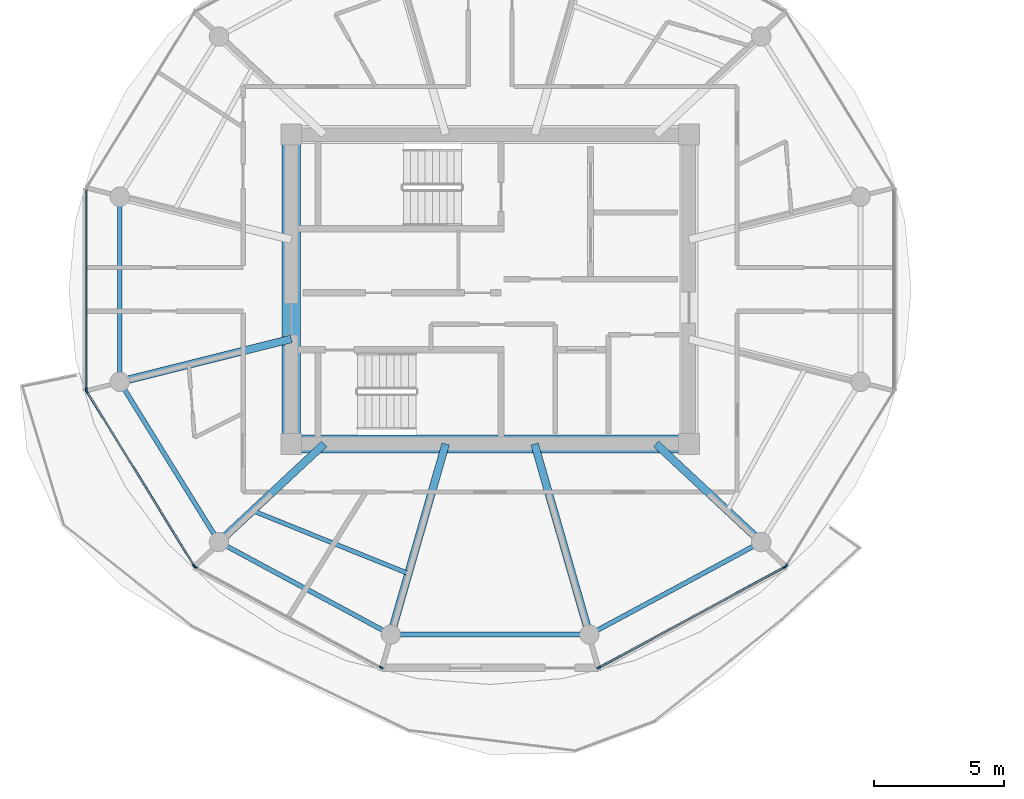
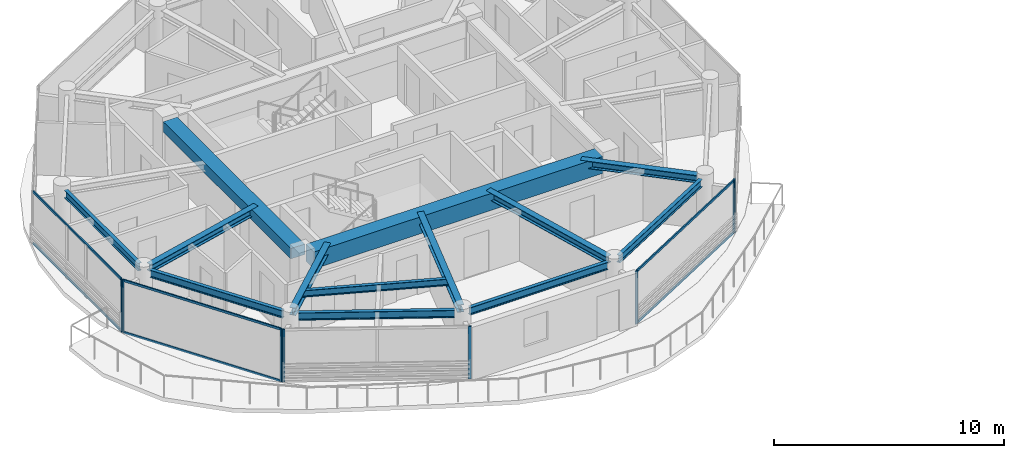
# One storey, part 2 of 19: 14 members, 13 beams, 5 elements without a shape of their own.
"""IFC4 building model written with IfcOpenShell, lengths in metres."""

from ifc_helpers import new_model, si_unit, direction, frame, origin, origin_2d, place, context, subcontext, project, spatial, rectangle, i_section, extrude, source, transform, mapped, material, layer, layer_set, material_profile, profile_set, type_object, type_shapes, element, aggregate, save


model = new_model("IFC4")

# Units and contexts
model_context = context("Model", 3, precision=1e-05, world=origin(), true_north=direction((0.0, 1.0)))
body_context = subcontext(model_context, "Body", "Model", "MODEL_VIEW")
ifc_project = project(units=[si_unit("LENGTHUNIT", "METRE"), si_unit("AREAUNIT", "SQUARE_METRE"), si_unit("VOLUMEUNIT", "CUBIC_METRE"), si_unit("PLANEANGLEUNIT", "RADIAN"), si_unit("MASSUNIT", "GRAM", prefix="KILO")], contexts=[model_context])

# Site, building, storey
site_placement = place(None, origin())
site = spatial("IfcSite", under=ifc_project, at=site_placement, CompositionType="ELEMENT")
building_placement = place(site_placement, origin())
building = spatial("IfcBuilding", under=site, at=building_placement, Name="Norrkilde Senior Care Towers", CompositionType="ELEMENT")
storey_placement = place(building_placement, frame((0.0, 0.0, 235.25)))
storey = spatial("IfcBuildingStorey", under=building, at=storey_placement, Name="L73", CompositionType="ELEMENT", Elevation=235.25)

# Beams
ifc_material_1 = material(Name="Concrete C60/75", Category="concrete")
ifc_material_profile_1 = material_profile(ifc_material_1, rectangle(XDim=0.699951171875, YDim=0.89990234375, at=origin_2d()), Name="RC BM 700x900")
ifc_profile_set_1 = profile_set([ifc_material_profile_1], Name="Concrete C60/75")
beam_type_1 = type_object("IfcBeamType", Name="Core Coupling Girder 700x900", PredefinedType="USERDEFINED", material=ifc_profile_set_1)
shared_shape_1 = source(origin(), body_context, "Body", "SweptSolid", [
    extrude(rectangle(XDim=0.699951171875, YDim=0.89990234375, at=origin_2d()), origin(), (0.0, 0.0, 1.0), 14.5400390625),
])
type_shapes(beam_type_1, [shared_shape_1])
beam_1_placement = place(storey_placement, frame((-35.27001953125, -5.949951171875, 2.360107421875), z_axis=(1.0, 0.0, 0.0), x_axis=(0.0, 1.0, 0.0)))
element("IfcBeam", 1, at=beam_1_placement, inside=storey, type_object=beam_type_1, Name="L73 Core W S Coupling Girder", ObjectType="GIRDER", PredefinedType="USERDEFINED", context=body_context, shape_type="MappedRepresentation", body=[
    mapped(shared_shape_1, transform((0.0, 0.0, 0.0), x_axis=(1.0, 0.0, 0.0), y_axis=(0.0, 1.0, 0.0), z_axis=(0.0, 0.0, 1.0), scale=1.0)),
])
ifc_material_profile_2 = material_profile(ifc_material_1, rectangle(XDim=0.699951171875, YDim=0.550048828125, at=origin_2d()), Name="RC BM 700x550")
ifc_profile_set_2 = profile_set([ifc_material_profile_2], Name="Concrete C60/75")
beam_type_2 = type_object("IfcBeamType", Name="Core Portal Coupling Beam 700x550", PredefinedType="USERDEFINED", material=ifc_profile_set_2)
shared_shape_2 = source(origin(), body_context, "Body", "SweptSolid", [
    extrude(rectangle(XDim=0.699951171875, YDim=0.550048828125, at=origin_2d()), origin(), (0.0, 0.0, 1.0), 11.14013671875),
])
type_shapes(beam_type_2, [shared_shape_2])
beam_2_placement = place(storey_placement, frame((-35.64990234375, -5.570068359375, 2.534912109375), z_axis=(0.0, 1.0, 0.0), x_axis=(-1.0, 0.0, 0.0)))
element("IfcBeam", 2, at=beam_2_placement, inside=storey, type_object=beam_type_2, Name="L73 Core W W Coupling Girder", ObjectType="GIRDER", PredefinedType="USERDEFINED", context=body_context, shape_type="MappedRepresentation", body=[
    mapped(shared_shape_2, transform((0.0, 0.0, 0.0), x_axis=(1.0, 0.0, 0.0), y_axis=(0.0, 1.0, 0.0), z_axis=(0.0, 0.0, 1.0), scale=1.0)),
])
ifc_material_2 = material(Name="Steel S355", Category="steel")
ifc_material_profile_3 = material_profile(ifc_material_2, i_section(OverallWidth=0.179931640625, OverallDepth=0.39990234375, WebThickness=0.008544921875, FlangeThickness=0.013427734375, FilletRadius=0.02099609375, at=origin_2d()), Name="IPE 400")
ifc_profile_set_3 = profile_set([ifc_material_profile_3], Name="Steel S355")
beam_type_3 = type_object("IfcBeamType", Name="Perimeter Ring Spandrel Z4 IPE400", PredefinedType="SPANDREL", material=ifc_profile_set_3)
shared_shape_3 = source(origin(), body_context, "Body", "SweptSolid", [
    extrude(i_section(OverallWidth=0.179931640625, OverallDepth=0.39990234375, WebThickness=0.008544921875, FlangeThickness=0.013427734375, FilletRadius=0.02099609375, at=origin_2d()), origin(), (0.0, 0.0, 1.0), 6.58056640625),
])
beam_3_placement = place(storey_placement, frame((-42.071044921875, -3.843505859375, 2.610107421875), z_axis=(0.526529583789, -0.850156807533, 0.0), x_axis=(0.850156807533, 0.526529583789, 0.0)))
element("IfcBeam", 3, at=beam_3_placement, inside=storey, type_object=beam_type_3, Name="L73 Drum W Perimeter Spandrel 07", PredefinedType="SPANDREL", context=body_context, shape_type="MappedRepresentation", body=[
    mapped(shared_shape_3, transform((0.0, 0.0, 0.0), x_axis=(1.0, 0.0, 0.0), y_axis=(0.0, 1.0, 0.0), z_axis=(0.0, 0.0, 1.0), scale=1.0)),
])
ifc_material_profile_4 = material_profile(ifc_material_2, i_section(OverallWidth=0.300048828125, OverallDepth=0.39990234375, WebThickness=0.013427734375, FlangeThickness=0.02392578125, FilletRadius=0.027099609375, at=origin_2d()), Name="HEB 400")
ifc_profile_set_4 = profile_set([ifc_material_profile_4], Name="Steel S355")
beam_type_4 = type_object("IfcBeamType", Name="Radial Floor Beam Z4 HEB400", PredefinedType="BEAM", material=ifc_profile_set_4)
shared_shape_4 = source(origin(), body_context, "Body", "SweptSolid", [
    extrude(i_section(OverallWidth=0.300048828125, OverallDepth=0.39990234375, WebThickness=0.013427734375, FlangeThickness=0.02392578125, FilletRadius=0.027099609375, at=origin_2d()), origin(), (0.0, 0.0, 1.0), 6.465087890625),
])
beam_4_placement = place(storey_placement, frame((-35.64990234375, -1.910888671875, 2.610107421875), z_axis=(-0.970195788563, -0.242322371758, 0.0), x_axis=(0.242322371758, -0.970195788563, 0.0)))
element("IfcBeam", 4, at=beam_4_placement, inside=storey, type_object=beam_type_4, Name="L73 Drum W Radial Floor Beam 07", PredefinedType="BEAM", context=body_context, shape_type="MappedRepresentation", body=[
    mapped(shared_shape_4, transform((0.0, 0.0, 0.0), x_axis=(1.0, 0.0, 0.0), y_axis=(0.0, 1.0, 0.0), z_axis=(0.0, 0.0, 1.0), scale=1.0)),
])
shared_shape_5 = source(origin(), body_context, "Body", "SweptSolid", [
    extrude(i_section(OverallWidth=0.179931640625, OverallDepth=0.39990234375, WebThickness=0.008544921875, FlangeThickness=0.013427734375, FilletRadius=0.02099609375, at=origin_2d()), origin(), (0.0, 0.0, 1.0), 6.839111328125),
])
for number, where, z_axis, x_axis, name in (
    (5, (-38.134765625, -9.881591796875, 2.610107421875), (0.880563930732, -0.473927382511, 0.0), (0.473927382511, 0.880563930732, 0.0), "L73 Drum W Perimeter Spandrel 08"),
    (6, (-23.887451171875, -13.122802734375, 2.610107421875), (0.880563930732, 0.473927382511, 0.0), (-0.473927382511, 0.880563930732, 0.0), "L73 Drum W Perimeter Spandrel 10"),
):
    element("IfcBeam", number, at=place(storey_placement, frame(where, z_axis=z_axis, x_axis=x_axis)), inside=storey, type_object=beam_type_3, Name=name, PredefinedType="SPANDREL", context=body_context, shape_type="MappedRepresentation", body=[
        mapped(shared_shape_5, transform((0.0, 0.0, 0.0), x_axis=(1.0, 0.0, 0.0), y_axis=(0.0, 1.0, 0.0), z_axis=(0.0, 0.0, 1.0), scale=1.0)),
    ])
shared_shape_6 = source(origin(), body_context, "Body", "SweptSolid", [
    extrude(i_section(OverallWidth=0.300048828125, OverallDepth=0.39990234375, WebThickness=0.013427734375, FlangeThickness=0.02392578125, FilletRadius=0.027099609375, at=origin_2d()), origin(), (0.0, 0.0, 1.0), 5.197998046875),
])
for number, where, z_axis, x_axis, name in (
    (7, (-34.3828125, -5.949951171875, 2.610107421875), (-0.731448749334, -0.681896419625, 0.0), (0.681896419625, -0.731448749334, 0.0), "L73 Drum W Radial Floor Beam 08"),
    (8, (-21.6171875, -5.949951171875, 2.610107421875), (0.731448749334, -0.681896419625, 0.0), (0.681896419625, 0.731448749334, 0.0), "L73 Drum W Radial Floor Beam 11"),
):
    element("IfcBeam", number, at=place(storey_placement, frame(where, z_axis=z_axis, x_axis=x_axis)), inside=storey, type_object=beam_type_4, Name=name, PredefinedType="BEAM", context=body_context, shape_type="MappedRepresentation", body=[
        mapped(shared_shape_6, transform((0.0, 0.0, 0.0), x_axis=(1.0, 0.0, 0.0), y_axis=(0.0, 1.0, 0.0), z_axis=(0.0, 0.0, 1.0), scale=1.0)),
    ])
shared_shape_7 = source(origin(), body_context, "Body", "SweptSolid", [
    extrude(i_section(OverallWidth=0.179931640625, OverallDepth=0.39990234375, WebThickness=0.008544921875, FlangeThickness=0.013427734375, FilletRadius=0.02099609375, at=origin_2d()), origin(), (0.0, 0.0, 1.0), 6.96533203125),
])
beam_5_placement = place(storey_placement, frame((-31.482666015625, -13.281494140625, 2.610107421875), z_axis=(1.0, 0.0, 0.0), x_axis=(0.0, 1.0, 0.0)))
element("IfcBeam", 9, at=beam_5_placement, inside=storey, type_object=beam_type_3, Name="L73 Drum W Perimeter Spandrel 09", PredefinedType="SPANDREL", context=body_context, shape_type="MappedRepresentation", body=[
    mapped(shared_shape_7, transform((0.0, 0.0, 0.0), x_axis=(1.0, 0.0, 0.0), y_axis=(0.0, 1.0, 0.0), z_axis=(0.0, 0.0, 1.0), scale=1.0)),
])
shared_shape_8 = source(origin(), body_context, "Body", "SweptSolid", [
    extrude(i_section(OverallWidth=0.300048828125, OverallDepth=0.39990234375, WebThickness=0.013427734375, FlangeThickness=0.02392578125, FilletRadius=0.027099609375, at=origin_2d()), origin(), (0.0, 0.0, 1.0), 7.29345703125),
])
type_shapes(beam_type_4, [shared_shape_4, shared_shape_6, shared_shape_8])
for number, where, z_axis, x_axis, name in (
    (10, (-29.710205078125, -5.949951171875, 2.610107421875), (-0.276263751906, -0.961081858836, 0.0), (0.961081858836, -0.276263751906, 0.0), "L73 Drum W Radial Floor Beam 09"),
    (11, (-26.289794921875, -5.949951171875, 2.610107421875), (0.276263751906, -0.961081858836, 0.0), (0.961081858836, 0.276263751906, 0.0), "L73 Drum W Radial Floor Beam 10"),
):
    element("IfcBeam", number, at=place(storey_placement, frame(where, z_axis=z_axis, x_axis=x_axis)), inside=storey, type_object=beam_type_4, Name=name, PredefinedType="BEAM", context=body_context, shape_type="MappedRepresentation", body=[
        mapped(shared_shape_8, transform((0.0, 0.0, 0.0), x_axis=(1.0, 0.0, 0.0), y_axis=(0.0, 1.0, 0.0), z_axis=(0.0, 0.0, 1.0), scale=1.0)),
    ])
shared_shape_9 = source(origin(), body_context, "Body", "SweptSolid", [
    extrude(i_section(OverallWidth=0.179931640625, OverallDepth=0.39990234375, WebThickness=0.008544921875, FlangeThickness=0.013427734375, FilletRadius=0.02099609375, at=origin_2d()), origin(), (0.0, 0.0, 1.0), 6.44775390625),
])
type_shapes(beam_type_3, [shared_shape_3, shared_shape_5, shared_shape_7, shared_shape_9])
beam_6_placement = place(storey_placement, frame((-42.247314453125, 3.223876953125, 2.610107421875), z_axis=(0.0, -1.0, 0.0), x_axis=(1.0, 0.0, 0.0)))
element("IfcBeam", 12, at=beam_6_placement, inside=storey, type_object=beam_type_3, Name="L73 Drum W Perimeter Spandrel 06", PredefinedType="SPANDREL", context=body_context, shape_type="MappedRepresentation", body=[
    mapped(shared_shape_9, transform((0.0, 0.0, 0.0), x_axis=(1.0, 0.0, 0.0), y_axis=(0.0, 1.0, 0.0), z_axis=(0.0, 0.0, 1.0), scale=1.0)),
])
ifc_material_profile_5 = material_profile(ifc_material_2, i_section(OverallWidth=0.169921875, OverallDepth=0.360107421875, WebThickness=0.008056640625, FlangeThickness=0.0126953125, FilletRadius=0.01806640625, at=origin_2d()), Name="IPE 360")
ifc_profile_set_5 = profile_set([ifc_material_profile_5], Name="Steel S355")
beam_type_5 = type_object("IfcBeamType", Name="Secondary Floor Joist IPE360", PredefinedType="JOIST", material=ifc_profile_set_5)
shared_shape_10 = source(origin(), body_context, "Body", "SweptSolid", [
    extrude(i_section(OverallWidth=0.169921875, OverallDepth=0.360107421875, WebThickness=0.008056640625, FlangeThickness=0.0126953125, FilletRadius=0.01806640625, at=origin_2d()), origin(), (0.0, 0.0, 1.0), 6.461669921875),
])
type_shapes(beam_type_5, [shared_shape_10])
beam_7_placement = place(storey_placement, frame((-37.134765625, -8.515380859375, 2.6298828125), z_axis=(0.927225942298, -0.374502405772, 0.0), x_axis=(0.374502405772, 0.927225942298, 0.0)))
element("IfcBeam", 13, at=beam_7_placement, inside=storey, type_object=beam_type_5, Name="L73 Drum W Secondary Floor Joist 3", PredefinedType="JOIST", context=body_context, shape_type="MappedRepresentation", body=[
    mapped(shared_shape_10, transform((0.0, 0.0, 0.0), x_axis=(1.0, 0.0, 0.0), y_axis=(0.0, 1.0, 0.0), z_axis=(0.0, 0.0, 1.0), scale=1.0)),
])

# Curtain wall, member
ifc_material_3 = material(Name="Triple Low-E Insulated Glazing", Category="glass")
ifc_layer = layer(ifc_material_3, 0.18505859375)
ifc_layer_set = layer_set([ifc_layer], Name="Triple Low-E Insulated Glazing")
curtain_wall_type = type_object("IfcCurtainWallType", Name="CW6 Zone 4 Crown Pavilion Curtain Wall", PredefinedType="NOTDEFINED", material=ifc_layer_set)
curtain_wall_1_placement = place(storey_placement, origin())
curtain_wall_1 = element("IfcCurtainWall", 14, at=curtain_wall_1_placement, inside=storey, type_object=curtain_wall_type, Name="L73 Drum W Curtain Wall 05", PredefinedType="NOTDEFINED")
ifc_material_4 = material(Name="Anodised Aluminium", Category="aluminium")
ifc_material_profile_6 = material_profile(ifc_material_4, rectangle(XDim=0.06494140625, YDim=0.14990234375, at=origin_2d()), Name="ALU MULL 65x150")
ifc_profile_set_6 = profile_set([ifc_material_profile_6], Name="Anodised Aluminium")
member_type_1 = type_object("IfcMemberType", Name="Curtain Wall Mullion Z3-Z4 65x150", PredefinedType="MULLION", material=ifc_profile_set_6)
shared_shape_11 = source(origin(), body_context, "Body", "SweptSolid", [
    extrude(rectangle(XDim=0.06494140625, YDim=0.14990234375, at=origin_2d()), origin(), (0.0, 0.0, 1.0), 2.81005859375),
])
type_shapes(member_type_1, [shared_shape_11])
member_1_placement = place(storey_placement, frame((-43.531982421875, -3.87060546875, 0.0), z_axis=(0.0, 0.0, 1.0), x_axis=(-1.0, 0.0, 0.0)))
member_1 = element("IfcMember", 15, at=member_1_placement, type_object=member_type_1, Name="CW-6 mullion 1", PredefinedType="MULLION", context=body_context, shape_type="MappedRepresentation", body=[
    mapped(shared_shape_11, transform((0.0, 0.0, 0.0), x_axis=(1.0, 0.0, 0.0), y_axis=(0.0, 1.0, 0.0), z_axis=(0.0, 0.0, 1.0), scale=1.0)),
])

# Curtain wall, members
curtain_wall_2_placement = place(storey_placement, origin())
curtain_wall_2 = element("IfcCurtainWall", 16, at=curtain_wall_2_placement, inside=storey, type_object=curtain_wall_type, Name="L73 Drum W Curtain Wall 06", PredefinedType="NOTDEFINED")
member_2_placement = place(storey_placement, frame((-39.38720703125, -10.635498046875, 0.0), z_axis=(0.0, 0.0, 1.0), x_axis=(-0.851562727283, -0.524252726748, 0.0)))
member_2 = element("IfcMember", 17, at=member_2_placement, type_object=member_type_1, Name="CW-6 mullion 1", PredefinedType="MULLION", context=body_context, shape_type="MappedRepresentation", body=[
    mapped(shared_shape_11, transform((0.0, 0.0, 0.0), x_axis=(1.0, 0.0, 0.0), y_axis=(0.0, 1.0, 0.0), z_axis=(0.0, 0.0, 1.0), scale=1.0)),
])
member_3_placement = place(storey_placement, frame((-43.51513671875, -3.9306640625, 0.0), z_axis=(0.0, 0.0, 1.0), x_axis=(-0.851562727283, -0.524252726748, 0.0)))
member_3 = element("IfcMember", 18, at=member_3_placement, type_object=member_type_1, Name="CW-6 mullion 2", PredefinedType="MULLION", context=body_context, shape_type="MappedRepresentation", body=[
    mapped(shared_shape_11, transform((0.0, 0.0, 0.0), x_axis=(1.0, 0.0, 0.0), y_axis=(0.0, 1.0, 0.0), z_axis=(0.0, 0.0, 1.0), scale=1.0)),
])

curtain_wall_3_placement = place(storey_placement, origin())
curtain_wall_3 = element("IfcCurtainWall", 19, at=curtain_wall_3_placement, inside=storey, type_object=curtain_wall_type, Name="L73 Drum W Curtain Wall 07", PredefinedType="NOTDEFINED")
member_4_placement = place(storey_placement, frame((-32.1904296875, -14.55078125, 0.0), z_axis=(0.0, 0.0, 1.0), x_axis=(-0.476132676136, -0.879373455772, 0.0)))
member_4 = element("IfcMember", 20, at=member_4_placement, type_object=member_type_1, Name="CW-6 mullion 1", PredefinedType="MULLION", context=body_context, shape_type="MappedRepresentation", body=[
    mapped(shared_shape_11, transform((0.0, 0.0, 0.0), x_axis=(1.0, 0.0, 0.0), y_axis=(0.0, 1.0, 0.0), z_axis=(0.0, 0.0, 1.0), scale=1.0)),
])
member_5_placement = place(storey_placement, frame((-39.341796875, -10.6787109375, 0.0), z_axis=(0.0, 0.0, 1.0), x_axis=(-0.476132676136, -0.879373455772, 0.0)))
member_5 = element("IfcMember", 21, at=member_5_placement, type_object=member_type_1, Name="CW-6 mullion 2", PredefinedType="MULLION", context=body_context, shape_type="MappedRepresentation", body=[
    mapped(shared_shape_11, transform((0.0, 0.0, 0.0), x_axis=(1.0, 0.0, 0.0), y_axis=(0.0, 1.0, 0.0), z_axis=(0.0, 0.0, 1.0), scale=1.0)),
])
aggregate(curtain_wall_3, [member_4, member_5])

curtain_wall_4_placement = place(storey_placement, origin())
curtain_wall_4 = element("IfcCurtainWall", 22, at=curtain_wall_4_placement, inside=storey, type_object=curtain_wall_type, Name="L73 Drum W Curtain Wall 09", PredefinedType="NOTDEFINED")
member_6_placement = place(storey_placement, frame((-16.658203125, -10.6787109375, 0.0), z_axis=(0.0, 0.0, 1.0), x_axis=(0.476132676136, -0.879373455772, 0.0)))
member_6 = element("IfcMember", 23, at=member_6_placement, type_object=member_type_1, Name="CW-6 mullion 1", PredefinedType="MULLION", context=body_context, shape_type="MappedRepresentation", body=[
    mapped(shared_shape_11, transform((0.0, 0.0, 0.0), x_axis=(1.0, 0.0, 0.0), y_axis=(0.0, 1.0, 0.0), z_axis=(0.0, 0.0, 1.0), scale=1.0)),
])
member_7_placement = place(storey_placement, frame((-23.8095703125, -14.55078125, 0.0), z_axis=(0.0, 0.0, 1.0), x_axis=(0.476132676136, -0.879373455772, 0.0)))
member_7 = element("IfcMember", 24, at=member_7_placement, type_object=member_type_1, Name="CW-6 mullion 2", PredefinedType="MULLION", context=body_context, shape_type="MappedRepresentation", body=[
    mapped(shared_shape_11, transform((0.0, 0.0, 0.0), x_axis=(1.0, 0.0, 0.0), y_axis=(0.0, 1.0, 0.0), z_axis=(0.0, 0.0, 1.0), scale=1.0)),
])

# Curtain wall, member
curtain_wall_5_placement = place(storey_placement, origin())
curtain_wall_5 = element("IfcCurtainWall", 25, at=curtain_wall_5_placement, inside=storey, type_object=curtain_wall_type, Name="L73 Drum W Curtain Wall 10", PredefinedType="NOTDEFINED")
member_8_placement = place(storey_placement, frame((-16.61279296875, -10.635498046875, 0.0), z_axis=(0.0, 0.0, 1.0), x_axis=(0.851562727283, -0.524252726748, 0.0)))
member_8 = element("IfcMember", 26, at=member_8_placement, type_object=member_type_1, Name="CW-6 mullion 2", PredefinedType="MULLION", context=body_context, shape_type="MappedRepresentation", body=[
    mapped(shared_shape_11, transform((0.0, 0.0, 0.0), x_axis=(1.0, 0.0, 0.0), y_axis=(0.0, 1.0, 0.0), z_axis=(0.0, 0.0, 1.0), scale=1.0)),
])
aggregate(curtain_wall_5, [member_8])

# Member
ifc_material_profile_7 = material_profile(ifc_material_4, rectangle(XDim=0.06005859375, YDim=0.1201171875, at=origin_2d()), Name="ALU TRAN 60x120")
ifc_profile_set_7 = profile_set([ifc_material_profile_7], Name="Anodised Aluminium")
member_type_2 = type_object("IfcMemberType", Name="Curtain Wall Transom Typical 60x120", PredefinedType="USERDEFINED", material=ifc_profile_set_7)
shared_shape_12 = source(origin(), body_context, "Body", "SweptSolid", [
    extrude(rectangle(XDim=0.06005859375, YDim=0.1201171875, at=origin_2d()), origin(), (0.0, 0.0, 1.0), 7.808837890625),
])
member_9_placement = place(storey_placement, frame((-39.404296875, -10.60791015625, 0.030029296875), z_axis=(-0.524250924101, 0.851563837055, 0.0), x_axis=(-0.851563837055, -0.524250924101, 0.0)))
member_9 = element("IfcMember", 27, at=member_9_placement, type_object=member_type_2, Name="CW-6 transom 1.1", ObjectType="TRANSOM", PredefinedType="USERDEFINED", context=body_context, shape_type="MappedRepresentation", body=[
    mapped(shared_shape_12, transform((0.0, 0.0, 0.0), x_axis=(1.0, 0.0, 0.0), y_axis=(0.0, 1.0, 0.0), z_axis=(0.0, 0.0, 1.0), scale=1.0)),
])

member_10_placement = place(storey_placement, frame((-39.404296875, -10.60791015625, 2.780029296875), z_axis=(-0.524250924101, 0.851563837055, 0.0), x_axis=(-0.851563837055, -0.524250924101, 0.0)))
member_10 = element("IfcMember", 28, at=member_10_placement, type_object=member_type_2, Name="CW-6 transom 1.2", ObjectType="TRANSOM", PredefinedType="USERDEFINED", context=body_context, shape_type="MappedRepresentation", body=[
    mapped(shared_shape_12, transform((0.0, 0.0, 0.0), x_axis=(1.0, 0.0, 0.0), y_axis=(0.0, 1.0, 0.0), z_axis=(0.0, 0.0, 1.0), scale=1.0)),
])

aggregate(curtain_wall_2, [member_2, member_3, member_9, member_10])

shared_shape_13 = source(origin(), body_context, "Body", "SweptSolid", [
    extrude(rectangle(XDim=0.06005859375, YDim=0.1201171875, at=origin_2d()), origin(), (0.0, 0.0, 1.0), 8.0673828125),
])
member_11_placement = place(storey_placement, frame((-16.686767578125, -10.694091796875, 0.030029296875), z_axis=(-0.87937750072, -0.476125205411, 0.0), x_axis=(0.476125205411, -0.87937750072, 0.0)))
member_11 = element("IfcMember", 29, at=member_11_placement, type_object=member_type_2, Name="CW-6 transom 1.1", ObjectType="TRANSOM", PredefinedType="USERDEFINED", context=body_context, shape_type="MappedRepresentation", body=[
    mapped(shared_shape_13, transform((0.0, 0.0, 0.0), x_axis=(1.0, 0.0, 0.0), y_axis=(0.0, 1.0, 0.0), z_axis=(0.0, 0.0, 1.0), scale=1.0)),
])

member_12_placement = place(storey_placement, frame((-16.686767578125, -10.694091796875, 2.780029296875), z_axis=(-0.87937750072, -0.476125205411, 0.0), x_axis=(0.476125205411, -0.87937750072, 0.0)))
member_12 = element("IfcMember", 30, at=member_12_placement, type_object=member_type_2, Name="CW-6 transom 1.2", ObjectType="TRANSOM", PredefinedType="USERDEFINED", context=body_context, shape_type="MappedRepresentation", body=[
    mapped(shared_shape_13, transform((0.0, 0.0, 0.0), x_axis=(1.0, 0.0, 0.0), y_axis=(0.0, 1.0, 0.0), z_axis=(0.0, 0.0, 1.0), scale=1.0)),
])

aggregate(curtain_wall_4, [member_6, member_7, member_11, member_12])

shared_shape_14 = source(origin(), body_context, "Body", "SweptSolid", [
    extrude(rectangle(XDim=0.06005859375, YDim=0.1201171875, at=origin_2d()), origin(), (0.0, 0.0, 1.0), 7.67578125),
])
type_shapes(member_type_2, [shared_shape_12, shared_shape_13, shared_shape_14])
member_13_placement = place(storey_placement, frame((-43.531982421875, -3.837890625, 0.030029296875), z_axis=(0.0, 1.0, 0.0), x_axis=(-1.0, 0.0, 0.0)))
member_13 = element("IfcMember", 31, at=member_13_placement, type_object=member_type_2, Name="CW-6 transom 1.1", ObjectType="TRANSOM", PredefinedType="USERDEFINED", context=body_context, shape_type="MappedRepresentation", body=[
    mapped(shared_shape_14, transform((0.0, 0.0, 0.0), x_axis=(1.0, 0.0, 0.0), y_axis=(0.0, 1.0, 0.0), z_axis=(0.0, 0.0, 1.0), scale=1.0)),
])

member_14_placement = place(storey_placement, frame((-43.531982421875, -3.837890625, 2.780029296875), z_axis=(0.0, 1.0, 0.0), x_axis=(-1.0, 0.0, 0.0)))
member_14 = element("IfcMember", 32, at=member_14_placement, type_object=member_type_2, Name="CW-6 transom 1.2", ObjectType="TRANSOM", PredefinedType="USERDEFINED", context=body_context, shape_type="MappedRepresentation", body=[
    mapped(shared_shape_14, transform((0.0, 0.0, 0.0), x_axis=(1.0, 0.0, 0.0), y_axis=(0.0, 1.0, 0.0), z_axis=(0.0, 0.0, 1.0), scale=1.0)),
])

aggregate(curtain_wall_1, [member_1, member_13, member_14])

save(model, "model.ifc")
